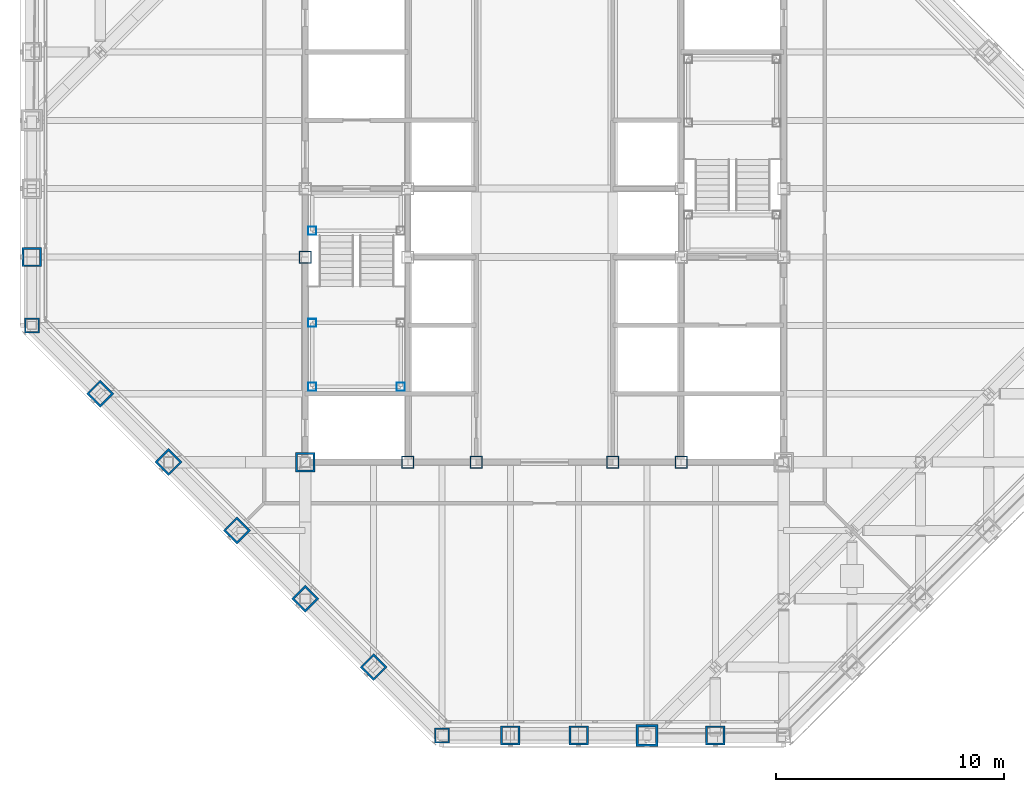
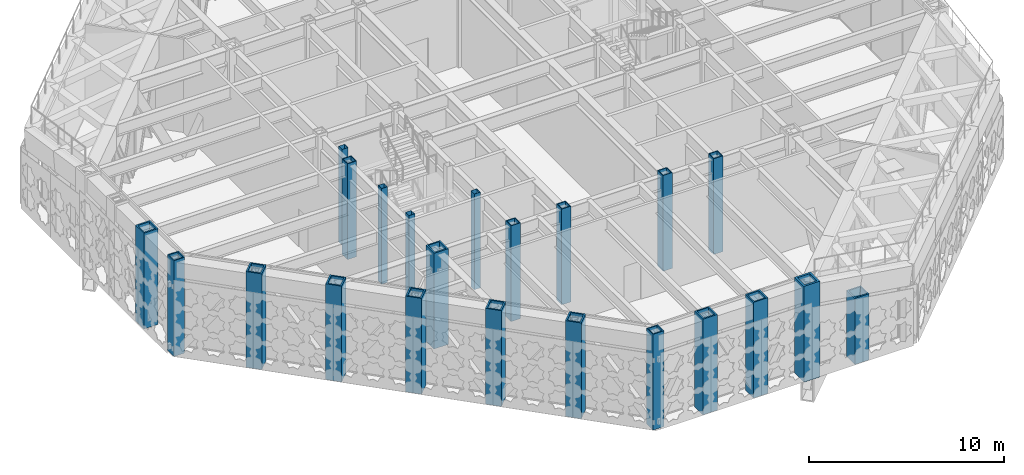
# One storey, part 1 of 29: 22 columns.
"""IFC4 building model written with IfcOpenShell, lengths in metres."""

from ifc_helpers import new_model, si_unit, direction, frame, origin, origin_2d, place, context, subcontext, project, spatial, hollow_rectangle, extrude, material, material_profile, profile_set, type_object, element, save


model = new_model("IFC4")

# Units and contexts
model_context = context("Model", 3, precision=1e-05, world=origin(), true_north=direction((0.0, 1.0)))
body_context = subcontext(model_context, "Body", "Model", "MODEL_VIEW")
ifc_project = project(units=[si_unit("LENGTHUNIT", "METRE"), si_unit("AREAUNIT", "SQUARE_METRE"), si_unit("VOLUMEUNIT", "CUBIC_METRE"), si_unit("PLANEANGLEUNIT", "RADIAN"), si_unit("MASSUNIT", "GRAM", prefix="KILO")], contexts=[model_context])

# Site, building, storey
site_placement = place(None, origin())
site = spatial("IfcSite", under=ifc_project, at=site_placement, CompositionType="ELEMENT")
building_placement = place(site_placement, origin())
building = spatial("IfcBuilding", under=site, at=building_placement, Name="Chuquiago Exchange Tower", CompositionType="ELEMENT")
storey_placement = place(building_placement, frame((0.0, 0.0, 251.699951171875)))
storey = spatial("IfcBuildingStorey", under=building, at=storey_placement, Name="L56", CompositionType="ELEMENT", Elevation=251.699951171875)

# Columns
ifc_material_1 = material(Name="Steel ASTM A572 Grade 50", Category="steel")
ifc_material_profile_1 = material_profile(ifc_material_1, hollow_rectangle(XDim=0.85009765625, YDim=0.85009765625, WallThickness=0.0849609375, at=origin_2d()), Name="BOX850X850X85")
ifc_profile_set_1 = profile_set([ifc_material_profile_1], Name="Steel ASTM A572 Grade 50")
column_type_1 = type_object("IfcColumnType", Name="C6 BOX850X850X85", PredefinedType="COLUMN", material=ifc_profile_set_1)
for number, where, z_axis, x_axis, name in (
    (1, (21.0, 0.0, 0.0), (0.0, 0.0, 1.0), (0.0, -1.0, 0.0), "COL-L56-21_0"),
    (2, (24.0, 0.0, 0.0), (0.0, 0.0, 1.0), (0.0, -1.0, 0.0), "COL-L56-24_0"),
):
    element("IfcColumn", number, at=place(storey_placement, frame(where, z_axis=z_axis, x_axis=x_axis)), inside=storey, type_object=column_type_1, Name=name, PredefinedType="COLUMN", context=body_context, shape_type="SweptSolid", body=[
        extrude(hollow_rectangle(XDim=0.85009765625, YDim=0.85009765625, WallThickness=0.0849609375, at=origin_2d()), origin(), (0.0, 0.0, 1.0), 6.0),
    ])
column_1_placement = place(storey_placement, frame((30.0, 0.0, 0.0), z_axis=(0.0, 0.0, 1.0), x_axis=(0.0, -1.0, 0.0)))
element("IfcColumn", 3, at=column_1_placement, inside=storey, type_object=column_type_1, Name="COL-L56-30_0", PredefinedType="COLUMN", context=body_context, shape_type="SweptSolid", body=[
    extrude(hollow_rectangle(XDim=0.85009765625, YDim=0.85009765625, WallThickness=0.0849609375, at=origin_2d()), origin(), (0.0, 0.0, 1.0), 4.149169921875),
])
for number, where, z_axis, x_axis, name in (
    (4, (0.0, 21.0, 0.0), (0.0, 0.0, 1.0), (-1.0, 0.0, 0.0), "COL-L56-0_21"),
    (5, (3.0, 15.0, 0.0), (0.0, 0.0, 1.0), (-0.707106781187, -0.707106781187, 0.0), "COL-L56-3_15"),
    (6, (6.0, 12.0, 0.0), (0.0, 0.0, 1.0), (-0.707106781187, -0.707106781187, 0.0), "COL-L56-6_12"),
    (7, (9.0, 9.0, 0.0), (0.0, 0.0, 1.0), (-0.707106781187, -0.707106781187, 0.0), "COL-L56-9_9"),
    (8, (12.0, 6.0, 0.0), (0.0, 0.0, 1.0), (-0.707106781187, -0.707106781187, 0.0), "COL-L56-12_6"),
    (9, (15.0, 3.0, 0.0), (0.0, 0.0, 1.0), (-0.707106781187, -0.707106781187, 0.0), "COL-L56-15_3"),
):
    element("IfcColumn", number, at=place(storey_placement, frame(where, z_axis=z_axis, x_axis=x_axis)), inside=storey, type_object=column_type_1, Name=name, PredefinedType="COLUMN", context=body_context, shape_type="SweptSolid", body=[
        extrude(hollow_rectangle(XDim=0.85009765625, YDim=0.85009765625, WallThickness=0.0849609375, at=origin_2d()), origin(), (0.0, 0.0, 1.0), 6.0),
    ])
ifc_material_2 = material(Name="Steel ASTM A572 Grade 50", Category="steel")
ifc_material_profile_2 = material_profile(ifc_material_2, hollow_rectangle(XDim=0.85009765625, YDim=0.85009765625, WallThickness=0.0849609375, at=origin_2d()), Name="BOX850X850X85")
ifc_profile_set_2 = profile_set([ifc_material_profile_2], Name="Steel ASTM A572 Grade 50")
column_type_2 = type_object("IfcColumnType", Name="CC6 BOX850X850X85", PredefinedType="COLUMN", material=ifc_profile_set_2)
column_2_placement = place(storey_placement, frame((12.0, 12.0, 0.0), z_axis=(0.0, 0.0, 1.0), x_axis=(1.0, 0.0, 0.0)))
element("IfcColumn", 10, at=column_2_placement, inside=storey, type_object=column_type_2, Name="CCOL-L56-12_12", PredefinedType="COLUMN", context=body_context, shape_type="SweptSolid", body=[
    extrude(hollow_rectangle(XDim=0.85009765625, YDim=0.85009765625, WallThickness=0.0849609375, at=origin_2d()), origin(), (0.0, 0.0, 1.0), 6.0),
])
ifc_material_3 = material(Name="Steel ASTM A572 Grade 50", Category="steel")
ifc_material_profile_3 = material_profile(ifc_material_3, hollow_rectangle(XDim=0.550048828125, YDim=0.550048828125, WallThickness=0.044921875, at=origin_2d()), Name="BOX550X550X45")
ifc_profile_set_3 = profile_set([ifc_material_profile_3], Name="Steel ASTM A572 Grade 50")
column_type_3 = type_object("IfcColumnType", Name="CC8 BOX550X550X45", PredefinedType="COLUMN", material=ifc_profile_set_3)
for number, where, z_axis, x_axis, name in (
    (11, (16.5, 12.0, 0.0), (0.0, 0.0, 1.0), (1.0, 0.0, 0.0), "CCOL-L56-16.5_12"),
    (12, (19.5, 12.0, 0.0), (0.0, 0.0, 1.0), (1.0, 0.0, 0.0), "CCOL-L56-19.5_12"),
    (13, (25.5, 12.0, 0.0), (0.0, 0.0, 1.0), (1.0, 0.0, 0.0), "CCOL-L56-25.5_12"),
    (14, (28.5, 12.0, 0.0), (0.0, 0.0, 1.0), (1.0, 0.0, 0.0), "CCOL-L56-28.5_12"),
    (15, (12.0, 21.0, 0.0), (0.0, 0.0, 1.0), (1.0, 0.0, 0.0), "CCOL-L56-12_21"),
):
    element("IfcColumn", number, at=place(storey_placement, frame(where, z_axis=z_axis, x_axis=x_axis)), inside=storey, type_object=column_type_3, Name=name, PredefinedType="COLUMN", context=body_context, shape_type="SweptSolid", body=[
        extrude(hollow_rectangle(XDim=0.550048828125, YDim=0.550048828125, WallThickness=0.044921875, at=origin_2d()), origin(), (0.0, 0.0, 1.0), 6.0),
    ])
ifc_material_4 = material(Name="Steel ASTM A572 Grade 50", Category="steel")
ifc_material_profile_4 = material_profile(ifc_material_4, hollow_rectangle(XDim=0.64990234375, YDim=0.64990234375, WallThickness=0.06494140625, at=origin_2d()), Name="BOX650X650X65")
ifc_profile_set_4 = profile_set([ifc_material_profile_4], Name="Steel ASTM A572 Grade 50")
column_type_4 = type_object("IfcColumnType", Name="CN2 BOX650X650X65", PredefinedType="COLUMN", material=ifc_profile_set_4)
for number, where, z_axis, x_axis, name in (
    (16, (18.0, 0.0, 0.0), (0.0, 0.0, 1.0), (0.0, -1.0, 0.0), "COL-L56-18_0"),
    (17, (0.0, 18.0, 0.0), (0.0, 0.0, 1.0), (-1.0, 0.0, 0.0), "COL-L56-0_18"),
):
    element("IfcColumn", number, at=place(storey_placement, frame(where, z_axis=z_axis, x_axis=x_axis)), inside=storey, type_object=column_type_4, Name=name, PredefinedType="COLUMN", context=body_context, shape_type="SweptSolid", body=[
        extrude(hollow_rectangle(XDim=0.64990234375, YDim=0.64990234375, WallThickness=0.06494140625, at=origin_2d()), origin(), (0.0, 0.0, 1.0), 6.0),
    ])
ifc_material_5 = material(Name="Steel ASTM A572 Grade 42", Category="steel")
ifc_material_profile_5 = material_profile(ifc_material_5, hollow_rectangle(XDim=0.949951171875, YDim=0.949951171875, WallThickness=0.110107421875, at=origin_2d()), Name="BOX950X950X110")
ifc_profile_set_5 = profile_set([ifc_material_profile_5], Name="Steel ASTM A572 Grade 42")
column_type_5 = type_object("IfcColumnType", Name="CT1 BOX950X950X110", PredefinedType="COLUMN", material=ifc_profile_set_5)
column_3_placement = place(storey_placement, frame((27.0, 0.0, 0.0), z_axis=(0.0, 0.0, 1.0), x_axis=(0.0, -1.0, 0.0)))
element("IfcColumn", 18, at=column_3_placement, inside=storey, type_object=column_type_5, Name="COL-L56-27_0", PredefinedType="COLUMN", context=body_context, shape_type="SweptSolid", body=[
    extrude(hollow_rectangle(XDim=0.949951171875, YDim=0.949951171875, WallThickness=0.110107421875, at=origin_2d()), origin(), (0.0, 0.0, 1.0), 6.0),
])
ifc_material_6 = material(Name="Steel ASTM A500 Grade C", Category="steel")
ifc_material_profile_6 = material_profile(ifc_material_6, hollow_rectangle(XDim=0.355712890625, YDim=0.355712890625, WallThickness=0.0087890625, at=origin_2d()), Name="HSS14X14X3/8")
ifc_profile_set_6 = profile_set([ifc_material_profile_6], Name="Steel ASTM A500 Grade C")
column_type_6 = type_object("IfcColumnType", Name="PT1 HSS14X14X3/8", PredefinedType="COLUMN", material=ifc_profile_set_6)
for number, where, z_axis, x_axis, name in (
    (19, (12.31005859375, 15.31005859375, 0.0), (0.0, 0.0, 1.0), (1.0, 0.0, 0.0), "Stair ST1 L56 landing post"),
    (20, (16.18994140625, 15.31005859375, 0.0), (0.0, 0.0, 1.0), (1.0, 0.0, 0.0), "Stair ST1 L56 landing post"),
    (21, (12.31005859375, 18.110107421875, 0.0), (0.0, 0.0, 1.0), (1.0, 0.0, 0.0), "Stair ST1 L56 landing post"),
    (22, (12.31005859375, 22.14990234375, 0.0), (0.0, 0.0, 1.0), (1.0, 0.0, 0.0), "Stair ST1 L56 landing post"),
):
    element("IfcColumn", number, at=place(storey_placement, frame(where, z_axis=z_axis, x_axis=x_axis)), inside=storey, type_object=column_type_6, Name=name, PredefinedType="COLUMN", context=body_context, shape_type="SweptSolid", body=[
        extrude(hollow_rectangle(XDim=0.355712890625, YDim=0.355712890625, WallThickness=0.0087890625, at=origin_2d()), origin(), (0.0, 0.0, 1.0), 6.0),
    ])

save(model, "model.ifc")
